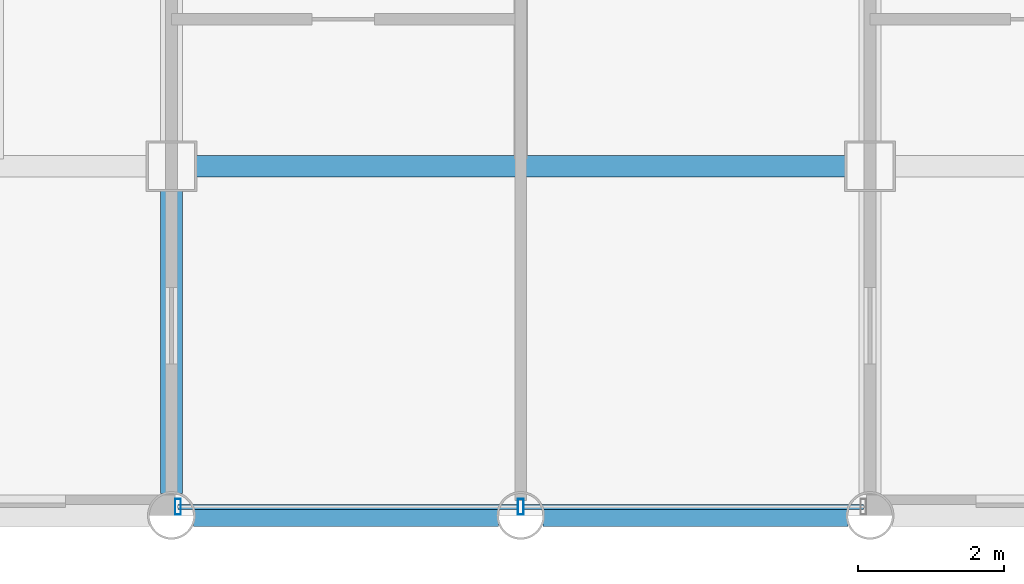
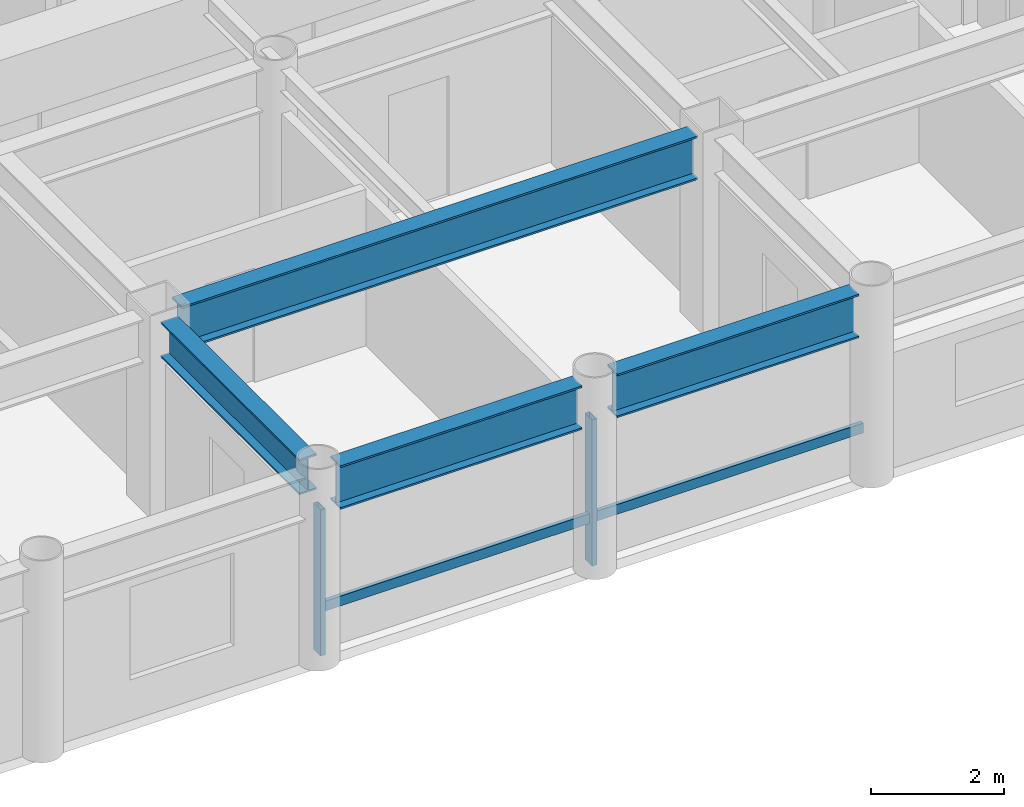
# One storey, part 2 of 22: 4 beams, 4 members, 1 element without a shape of its own.
"""IFC4 building model written with IfcOpenShell, lengths in metres."""

from ifc_helpers import new_model, si_unit, direction, frame, origin, origin_2d, place, context, subcontext, project, spatial, hollow_rectangle, i_section, extrude, material, layer, layer_set, material_profile, profile_set, type_object, element, aggregate, save


model = new_model("IFC4")

# Units and contexts
model_context = context("Model", 3, precision=1e-05, world=origin(), true_north=direction((0.0, 1.0)))
body_context = subcontext(model_context, "Body", "Model", "MODEL_VIEW")
ifc_project = project(units=[si_unit("LENGTHUNIT", "METRE"), si_unit("AREAUNIT", "SQUARE_METRE"), si_unit("VOLUMEUNIT", "CUBIC_METRE"), si_unit("PLANEANGLEUNIT", "RADIAN"), si_unit("MASSUNIT", "GRAM", prefix="KILO")], contexts=[model_context])

# Site, building, storey
site_placement = place(None, origin())
site = spatial("IfcSite", under=ifc_project, at=site_placement, CompositionType="ELEMENT")
building_placement = place(site_placement, origin())
building = spatial("IfcBuilding", under=site, at=building_placement, Name="Kallvorn Hotel Tower", CompositionType="ELEMENT")
storey_placement = place(building_placement, frame((0.0, 0.0, 117.39990234375)))
storey = spatial("IfcBuildingStorey", under=building, at=storey_placement, Name="L28", CompositionType="ELEMENT", Elevation=117.39990234375)

# Beams
ifc_material_1 = material(Name="Structural steel S355JR", Category="steel")
ifc_material_profile_1 = material_profile(ifc_material_1, i_section(OverallWidth=0.300048828125, OverallDepth=0.64990234375, WebThickness=0.01611328125, FlangeThickness=0.031005859375, at=origin_2d()), Name="HE 650 B")
ifc_profile_set_1 = profile_set([ifc_material_profile_1], Name="Structural steel S355JR")
beam_type_1 = type_object("IfcBeamType", Name="BM_HE650B", PredefinedType="BEAM", material=ifc_profile_set_1)
beam_1_placement = place(storey_placement, frame((-4.800048828125, -18.89501953125, 3.195068359375), z_axis=(0.0, 1.0, 0.0), x_axis=(-1.0, 0.0, 0.0)))
element("IfcBeam", 1, at=beam_1_placement, inside=storey, type_object=beam_type_1, Name="L29 Primary Y-Girder 105", PredefinedType="BEAM", context=body_context, shape_type="SweptSolid", body=[
    extrude(i_section(OverallWidth=0.300048828125, OverallDepth=0.64990234375, WebThickness=0.01611328125, FlangeThickness=0.031005859375, at=origin_2d()), origin(), (0.0, 0.0, 1.0), 4.169921875),
])
ifc_material_2 = material(Name="Structural steel S355JR", Category="steel")
ifc_material_profile_2 = material_profile(ifc_material_2, i_section(OverallWidth=0.300048828125, OverallDepth=0.800048828125, WebThickness=0.017578125, FlangeThickness=0.032958984375, at=origin_2d()), Name="HE 800 B")
ifc_profile_set_2 = profile_set([ifc_material_profile_2], Name="Structural steel S355JR")
beam_type_2 = type_object("IfcBeamType", Name="BM_HE800B", PredefinedType="BEAM", material=ifc_profile_set_2)
for number, where, z_axis, x_axis, name in (
    (2, (-4.4951171875, -19.199951171875, 3.1201171875), (1.0, 0.0, 0.0), (0.0, 1.0, 0.0), "L29 Primary X-Girder 06"),
    (3, (0.304931640625, -19.199951171875, 3.1201171875), (1.0, 0.0, 0.0), (0.0, 1.0, 0.0), "L29 Primary X-Girder 07"),
):
    element("IfcBeam", number, at=place(storey_placement, frame(where, z_axis=z_axis, x_axis=x_axis)), inside=storey, type_object=beam_type_2, Name=name, PredefinedType="BEAM", context=body_context, shape_type="SweptSolid", body=[
        extrude(i_section(OverallWidth=0.300048828125, OverallDepth=0.800048828125, WebThickness=0.017578125, FlangeThickness=0.032958984375, at=origin_2d()), origin(), (0.0, 0.0, 1.0), 4.190185546875),
    ])
beam_2_placement = place(storey_placement, frame((-4.47509765625, -14.39990234375, 3.1201171875), z_axis=(1.0, 0.0, 0.0), x_axis=(0.0, 1.0, 0.0)))
element("IfcBeam", 4, at=beam_2_placement, inside=storey, type_object=beam_type_2, Name="L29 Primary X-Girder 17", PredefinedType="BEAM", context=body_context, shape_type="SweptSolid", body=[
    extrude(i_section(OverallWidth=0.300048828125, OverallDepth=0.800048828125, WebThickness=0.017578125, FlangeThickness=0.032958984375, at=origin_2d()), origin(), (0.0, 0.0, 1.0), 8.9501953125),
])

# Curtain wall, members
ifc_material_3 = material(Name="Thermally broken black-anodised aluminium AA 6063-T6", Category="aluminium")
ifc_layer = layer(ifc_material_3, 0.199951171875)
ifc_layer_set = layer_set([ifc_layer], Name="CW_SYS_3_HOTEL_LOW")
curtain_wall_type = type_object("IfcCurtainWallType", Name="CW_SYS_3_HOTEL_LOW", PredefinedType="USERDEFINED", material=ifc_layer_set)
curtain_wall_placement = place(storey_placement, origin())
curtain_wall = element("IfcCurtainWall", 5, at=curtain_wall_placement, inside=storey, type_object=curtain_wall_type, Name="L28 Dark-Glass Curtain Wall CW-L28-SC", ObjectType="UNITISED CURTAIN WALL", PredefinedType="USERDEFINED")
ifc_material_4 = material(Name="Thermally broken black-anodised aluminium AA 6063-T6", Category="aluminium")
ifc_material_profile_3 = material_profile(ifc_material_4, hollow_rectangle(XDim=0.080078125, YDim=0.219970703125, WallThickness=0.0048828125, at=origin_2d()), Name="MUL 220x80")
ifc_profile_set_3 = profile_set([ifc_material_profile_3], Name="Thermally broken black-anodised aluminium AA 6063-T6")
member_type_1 = type_object("IfcMemberType", Name="CW_MULLION_220x80", PredefinedType="MULLION", material=ifc_profile_set_3)
member_1_placement = place(storey_placement, frame((-4.7099609375, -19.080078125, 0.02001953125), z_axis=(0.0, 0.0, 1.0), x_axis=(1.0, 0.0, 0.0)))
member_1 = element("IfcMember", 6, at=member_1_placement, type_object=member_type_1, Name="CW-L28-SC Mullion 00", PredefinedType="MULLION", context=body_context, shape_type="SweptSolid", body=[
    extrude(hollow_rectangle(XDim=0.080078125, YDim=0.219970703125, WallThickness=0.0048828125, at=origin_2d()), origin(), (0.0, 0.0, 1.0), 2.68017578125),
])
member_2_placement = place(storey_placement, frame((0.0, -19.080078125, 0.02001953125), z_axis=(0.0, 0.0, 1.0), x_axis=(1.0, 0.0, 0.0)))
member_2 = element("IfcMember", 7, at=member_2_placement, type_object=member_type_1, Name="CW-L28-SC Mullion 01", PredefinedType="MULLION", context=body_context, shape_type="SweptSolid", body=[
    extrude(hollow_rectangle(XDim=0.080078125, YDim=0.219970703125, WallThickness=0.0048828125, at=origin_2d()), origin(), (0.0, 0.0, 1.0), 2.68017578125),
])
ifc_material_5 = material(Name="Thermally broken black-anodised aluminium AA 6063-T6", Category="aluminium")
ifc_material_profile_4 = material_profile(ifc_material_5, hollow_rectangle(XDim=0.070068359375, YDim=0.179931640625, WallThickness=0.00390625, at=origin_2d()), Name="TRN 180x70")
ifc_profile_set_4 = profile_set([ifc_material_profile_4], Name="Thermally broken black-anodised aluminium AA 6063-T6")
member_type_2 = type_object("IfcMemberType", Name="CW_TRANSOM_180x70", PredefinedType="USERDEFINED", material=ifc_profile_set_4)
member_3_placement = place(storey_placement, frame((-4.7099609375, -19.080078125, 0.85009765625), z_axis=(1.0, 0.0, 0.0), x_axis=(0.0, 1.0, 0.0)))
member_3 = element("IfcMember", 8, at=member_3_placement, type_object=member_type_2, Name="CW-L28-SC Transom 00M", ObjectType="TRANSOM", PredefinedType="USERDEFINED", context=body_context, shape_type="SweptSolid", body=[
    extrude(hollow_rectangle(XDim=0.070068359375, YDim=0.179931640625, WallThickness=0.00390625, at=origin_2d()), origin(), (0.0, 0.0, 1.0), 4.669921875),
])
member_4_placement = place(storey_placement, frame((0.0400390625, -19.080078125, 0.85009765625), z_axis=(1.0, 0.0, 0.0), x_axis=(0.0, 1.0, 0.0)))
member_4 = element("IfcMember", 9, at=member_4_placement, type_object=member_type_2, Name="CW-L28-SC Transom 01M", ObjectType="TRANSOM", PredefinedType="USERDEFINED", context=body_context, shape_type="SweptSolid", body=[
    extrude(hollow_rectangle(XDim=0.070068359375, YDim=0.179931640625, WallThickness=0.00390625, at=origin_2d()), origin(), (0.0, 0.0, 1.0), 4.669921875),
])
aggregate(curtain_wall, [member_1, member_2, member_3, member_4])

save(model, "model.ifc")
